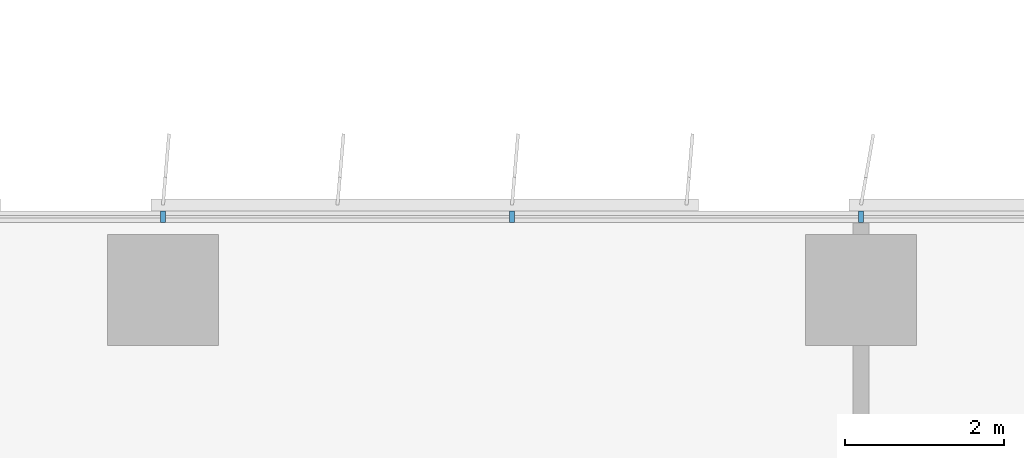
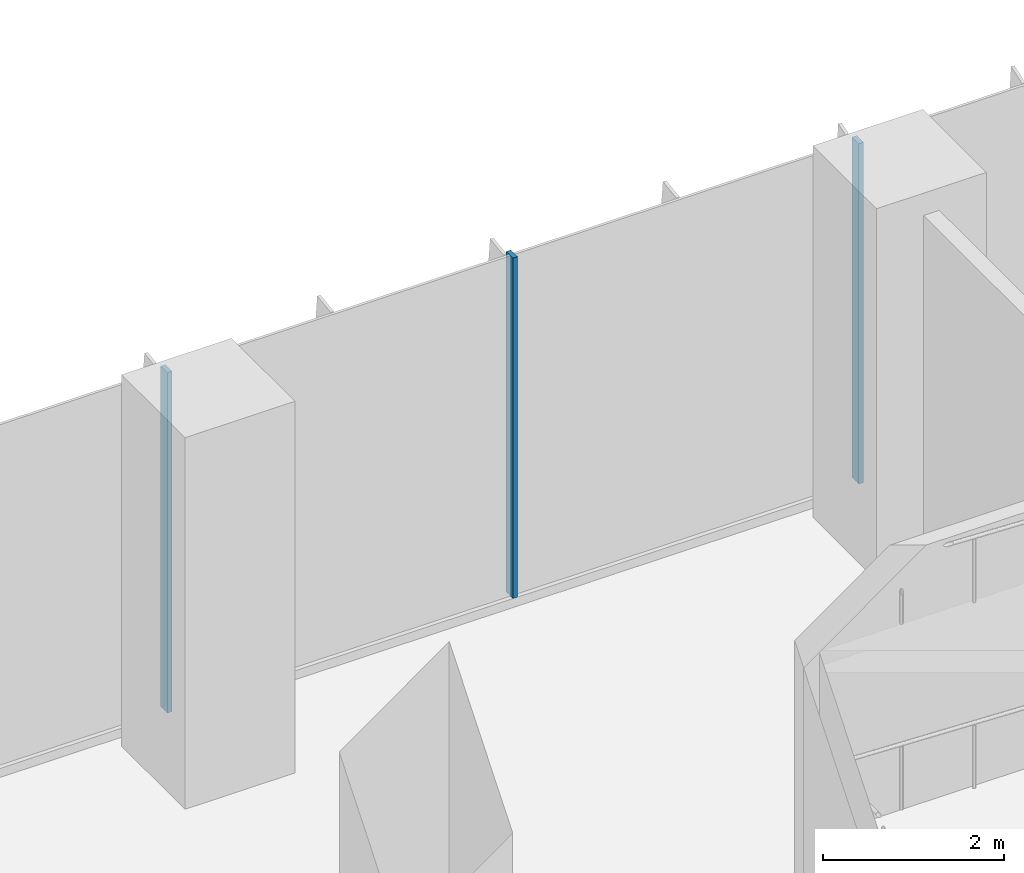
# One storey, part 4 of 23: 3 members, 1 element without a shape of its own.
"""IFC4 building model written with IfcOpenShell, lengths in metres."""

from ifc_helpers import new_model, si_unit, direction, frame, origin, origin_2d, place, context, subcontext, project, spatial, rectangle, extrude, source, transform, mapped, material, material_profile, profile_set, type_object, element, aggregate, save


model = new_model("IFC4")

# Units and contexts
model_context = context("Model", 3, precision=1e-05, world=origin(), true_north=direction((0.0, 1.0)))
body_context = subcontext(model_context, "Body", "Model", "MODEL_VIEW")
ifc_project = project(units=[si_unit("LENGTHUNIT", "METRE"), si_unit("AREAUNIT", "SQUARE_METRE"), si_unit("VOLUMEUNIT", "CUBIC_METRE"), si_unit("PLANEANGLEUNIT", "RADIAN"), si_unit("MASSUNIT", "GRAM", prefix="KILO")], contexts=[model_context])

# Site, building, storey
site_placement = place(None, origin())
site = spatial("IfcSite", under=ifc_project, at=site_placement, CompositionType="ELEMENT")
building_placement = place(site_placement, origin())
building = spatial("IfcBuilding", under=site, at=building_placement, Name="Kemantara Hotel Tower", CompositionType="ELEMENT")
storey_placement = place(building_placement, frame((0.0, 0.0, 71.0)))
storey = spatial("IfcBuildingStorey", under=building, at=storey_placement, Name="L16", CompositionType="ELEMENT", Elevation=71.0)

# Curtain wall, members
ifc_material_1 = material(Name="Low-E tinted double insulated glass 36 mm", Category="glass")
curtain_wall_type = type_object("IfcCurtainWallType", Name="TOWER CURTAIN WALL, FRONT FACES", PredefinedType="USERDEFINED", material=ifc_material_1)
curtain_wall_placement = place(storey_placement, origin())
curtain_wall = element("IfcCurtainWall", 1, at=curtain_wall_placement, inside=storey, type_object=curtain_wall_type, Name="CW4 L16 T1-R07-1", ObjectType="TOWER CURTAIN WALL, FRONT FACES", PredefinedType="USERDEFINED")
ifc_material_2 = material(Name="Aluminium 6063-T6 bronze anodised", Category="aluminium")
ifc_material_profile = material_profile(ifc_material_2, rectangle(XDim=0.14990234375, YDim=0.06005859375, at=origin_2d()), Name="TOWER CURTAIN WALL, FRONT FACES MULLION")
ifc_profile_set = profile_set([ifc_material_profile], Name="Aluminium 6063-T6 bronze anodised")
member_type = type_object("IfcMemberType", Name="TOWER CURTAIN WALL, FRONT FACES MULLION", PredefinedType="MULLION", material=ifc_profile_set)
shared_shape = source(origin(), body_context, "Body", "SweptSolid", [
    extrude(rectangle(XDim=0.14990234375, YDim=0.06005859375, at=origin_2d()), origin(), (0.0, 0.0, 1.0), 4.579833984375),
])
member_1_placement = place(storey_placement, frame((62.60009765625, 26.72509765625, 0.1201171875), z_axis=(0.0, 0.0, 1.0), x_axis=(0.0, -1.0, 0.0)))
member_1 = element("IfcMember", 2, at=member_1_placement, type_object=member_type, Name="CW4 mullion T1-R07-1.5", PredefinedType="MULLION", context=body_context, shape_type="MappedRepresentation", body=[
    mapped(shared_shape, transform((0.0, 0.0, 0.0))),
])
member_2_placement = place(storey_placement, frame((58.199951171875, 26.72509765625, 0.1201171875), z_axis=(0.0, 0.0, 1.0), x_axis=(0.0, -1.0, 0.0)))
member_2 = element("IfcMember", 3, at=member_2_placement, type_object=member_type, Name="CW4 mullion T1-R07-1.6", PredefinedType="MULLION", context=body_context, shape_type="MappedRepresentation", body=[
    mapped(shared_shape, transform((0.0, 0.0, 0.0))),
])
member_3_placement = place(storey_placement, frame((53.800048828125, 26.72509765625, 0.1201171875), z_axis=(0.0, 0.0, 1.0), x_axis=(0.0, -1.0, 0.0)))
member_3 = element("IfcMember", 4, at=member_3_placement, type_object=member_type, Name="CW4 mullion T1-R07-1.7", PredefinedType="MULLION", context=body_context, shape_type="MappedRepresentation", body=[
    mapped(shared_shape, transform((0.0, 0.0, 0.0))),
])
aggregate(curtain_wall, [member_1, member_2, member_3])

save(model, "model.ifc")
